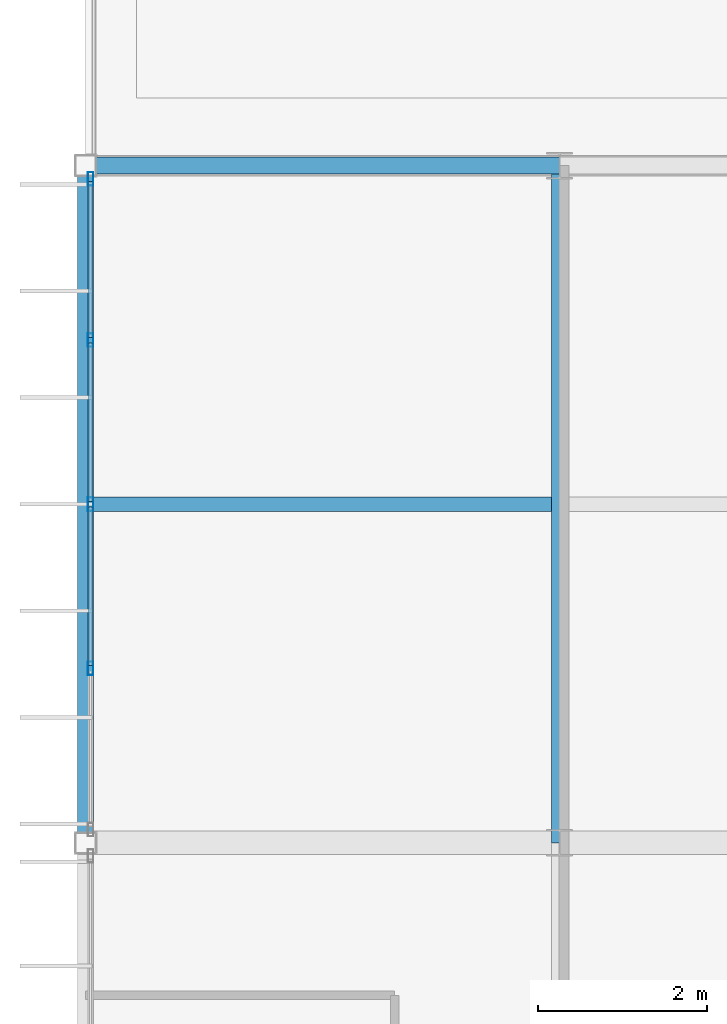
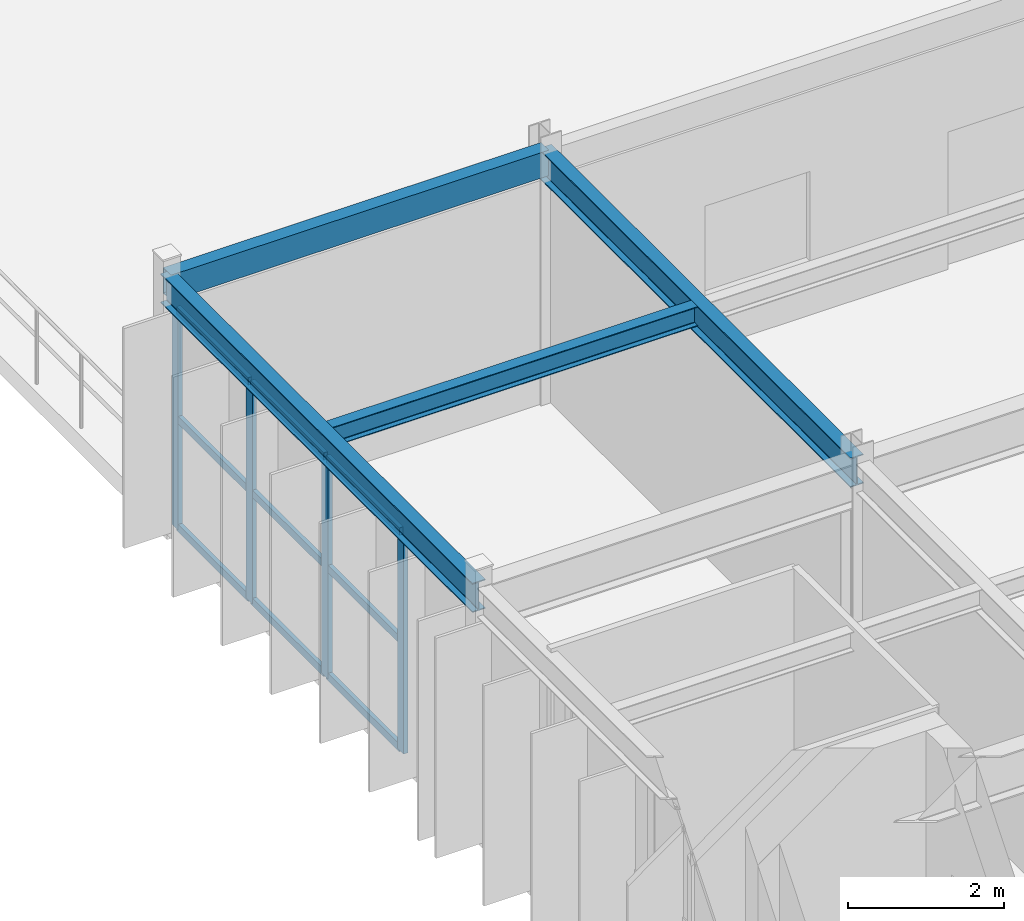
# One storey, part 33 of 130: 13 members, 4 beams, 1 element without a shape of its own.
"""IFC4 building model written with IfcOpenShell, lengths in metres."""

from ifc_helpers import new_model, si_unit, direction, frame, origin, origin_2d, place, context, subcontext, project, spatial, hollow_rectangle, i_section, extrude, material, material_profile, profile_set, type_object, element, aggregate, save


model = new_model("IFC4")

# Units and contexts
model_context = context("Model", 3, precision=1e-05, world=origin(), true_north=direction((0.0, 1.0)))
body_context = subcontext(model_context, "Body", "Model", "MODEL_VIEW")
ifc_project = project(units=[si_unit("LENGTHUNIT", "METRE"), si_unit("AREAUNIT", "SQUARE_METRE"), si_unit("VOLUMEUNIT", "CUBIC_METRE"), si_unit("PLANEANGLEUNIT", "RADIAN"), si_unit("MASSUNIT", "GRAM", prefix="KILO")], contexts=[model_context])

# Site, building, storey
site_placement = place(None, origin())
site = spatial("IfcSite", under=ifc_project, at=site_placement, CompositionType="ELEMENT")
building_placement = place(site_placement, origin())
building = spatial("IfcBuilding", under=site, at=building_placement, Name="Karori Crest Natural Sciences Institute", CompositionType="ELEMENT")
storey_placement = place(building_placement, frame((0.0, 0.0, 17.5)))
storey = spatial("IfcBuildingStorey", under=building, at=storey_placement, Name="L04", CompositionType="ELEMENT", Elevation=17.5)

# Beams
ifc_material_1 = material(Name="Structural steel AS/NZS 3679.1 Grade 350", Category="steel")
ifc_material_profile_1 = material_profile(ifc_material_1, i_section(OverallWidth=0.19091796875, OverallDepth=0.4599609375, WebThickness=0.010009765625, FlangeThickness=0.01611328125, FilletRadius=0.010986328125, at=origin_2d()), Name="460UB82.1")
ifc_profile_set_1 = profile_set([ifc_material_profile_1], Name="Structural steel AS/NZS 3679.1 Grade 350")
beam_type_1 = type_object("IfcBeamType", Name="BT-06", PredefinedType="BEAM", material=ifc_profile_set_1)
beam_1_placement = place(storey_placement, frame((7.39990234375, 47.0, 3.68994140625), z_axis=(0.0, 1.0, 0.0), x_axis=(-1.0, 0.0, 0.0)))
element("IfcBeam", 1, at=beam_1_placement, inside=storey, type_object=beam_type_1, Name="Beam B-1229", PredefinedType="BEAM", context=body_context, shape_type="SweptSolid", body=[
    extrude(i_section(OverallWidth=0.19091796875, OverallDepth=0.4599609375, WebThickness=0.010009765625, FlangeThickness=0.01611328125, FilletRadius=0.010986328125, at=origin_2d()), origin(), (0.0, 0.0, 1.0), 8.0),
])
ifc_material_profile_2 = material_profile(ifc_material_1, i_section(OverallWidth=0.19091796875, OverallDepth=0.4599609375, WebThickness=0.010009765625, FlangeThickness=0.01611328125, FilletRadius=0.010986328125, at=origin_2d()), Name="460UB82.1")
ifc_profile_set_2 = profile_set([ifc_material_profile_2], Name="Structural steel AS/NZS 3679.1 Grade 350")
beam_type_2 = type_object("IfcBeamType", Name="BT-06-EL", PredefinedType="BEAM", material=ifc_profile_set_2)
beam_2_placement = place(storey_placement, frame((1.800048828125, 47.0, 3.68994140625), z_axis=(0.0, 1.0, 0.0), x_axis=(-1.0, 0.0, 0.0)))
element("IfcBeam", 2, at=beam_2_placement, inside=storey, type_object=beam_type_2, Name="Beam B-1225", PredefinedType="BEAM", context=body_context, shape_type="SweptSolid", body=[
    extrude(i_section(OverallWidth=0.19091796875, OverallDepth=0.4599609375, WebThickness=0.010009765625, FlangeThickness=0.01611328125, FilletRadius=0.010986328125, at=origin_2d()), origin(), (0.0, 0.0, 1.0), 8.0),
])
ifc_material_profile_3 = material_profile(ifc_material_1, i_section(OverallWidth=0.166015625, OverallDepth=0.306884765625, WebThickness=0.006591796875, FlangeThickness=0.01171875, FilletRadius=0.010986328125, at=origin_2d()), Name="310UB46.2")
ifc_profile_set_3 = profile_set([ifc_material_profile_3], Name="Structural steel AS/NZS 3679.1 Grade 350")
beam_type_3 = type_object("IfcBeamType", Name="BT-09", PredefinedType="BEAM", material=ifc_profile_set_3)
beam_3_placement = place(storey_placement, frame((1.8955078125, 51.0, 3.7666015625), z_axis=(1.0, 0.0, 0.0), x_axis=(0.0, 1.0, 0.0)))
element("IfcBeam", 3, at=beam_3_placement, inside=storey, type_object=beam_type_3, Name="Beam B-1241", PredefinedType="BEAM", context=body_context, shape_type="SweptSolid", body=[
    extrude(i_section(OverallWidth=0.166015625, OverallDepth=0.306884765625, WebThickness=0.006591796875, FlangeThickness=0.01171875, FilletRadius=0.010986328125, at=origin_2d()), origin(), (0.0, 0.0, 1.0), 5.408935546875),
])
ifc_material_2 = material(Name="Hollow structural steel AS/NZS 1163 Grade C350", Category="steel")
ifc_material_profile_4 = material_profile(ifc_material_2, hollow_rectangle(XDim=0.199951171875, YDim=0.39990234375, WallThickness=0.012451171875, at=origin_2d()), Name="RHS400x200x12.5")
ifc_profile_set_4 = profile_set([ifc_material_profile_4], Name="Hollow structural steel AS/NZS 1163 Grade C350")
beam_type_4 = type_object("IfcBeamType", Name="BT-14", PredefinedType="SPANDREL", material=ifc_profile_set_4)
beam_4_placement = place(storey_placement, frame((1.800048828125, 55.0, 3.719970703125), z_axis=(1.0, 0.0, 0.0), x_axis=(0.0, 1.0, 0.0)))
element("IfcBeam", 4, at=beam_4_placement, inside=storey, type_object=beam_type_4, Name="Beam B-1219", PredefinedType="SPANDREL", context=body_context, shape_type="SweptSolid", body=[
    extrude(hollow_rectangle(XDim=0.199951171875, YDim=0.39990234375, WallThickness=0.012451171875, at=origin_2d()), origin(), (0.0, 0.0, 1.0), 5.599853515625),
])

# Curtain wall, members
ifc_material_3 = material(Name="Anodised architectural aluminium 6063-T6", Category="aluminium")
curtain_wall_type = type_object("IfcCurtainWallType", Name="CWT-17", PredefinedType="NOTDEFINED", material=ifc_material_3)
curtain_wall_placement = place(storey_placement, origin())
curtain_wall = element("IfcCurtainWall", 5, at=curtain_wall_placement, inside=storey, type_object=curtain_wall_type, Name="Curtain wall CW-0287", PredefinedType="NOTDEFINED")
ifc_material_profile_5 = material_profile(ifc_material_3, hollow_rectangle(XDim=0.06494140625, YDim=0.159912109375, WallThickness=0.00390625, at=origin_2d()), Name="CWM160x65x4")
ifc_profile_set_5 = profile_set([ifc_material_profile_5], Name="Anodised architectural aluminium 6063-T6")
member_type_1 = type_object("IfcMemberType", Name="CWM-01", PredefinedType="MULLION", material=ifc_profile_set_5)
member_1_placement = place(storey_placement, frame((1.860107421875, 49.0615234375, 0.0), z_axis=(0.0, 0.0, 1.0), x_axis=(-1.0, 0.0, 0.0)))
member_1 = element("IfcMember", 6, at=member_1_placement, type_object=member_type_1, Name="CW-0287 mullion 2", PredefinedType="MULLION", context=body_context, shape_type="SweptSolid", body=[
    extrude(hollow_rectangle(XDim=0.06494140625, YDim=0.159912109375, WallThickness=0.00390625, at=origin_2d()), origin(), (0.0, 0.0, 1.0), 3.445068359375),
])
member_2_placement = place(storey_placement, frame((1.860107421875, 51.0, 0.0), z_axis=(0.0, 0.0, 1.0), x_axis=(-1.0, 0.0, 0.0)))
member_2 = element("IfcMember", 7, at=member_2_placement, type_object=member_type_1, Name="CW-0287 mullion 3", PredefinedType="MULLION", context=body_context, shape_type="SweptSolid", body=[
    extrude(hollow_rectangle(XDim=0.06494140625, YDim=0.159912109375, WallThickness=0.00390625, at=origin_2d()), origin(), (0.0, 0.0, 1.0), 3.445068359375),
])
member_3_placement = place(storey_placement, frame((1.860107421875, 52.9384765625, 0.0), z_axis=(0.0, 0.0, 1.0), x_axis=(-1.0, 0.0, 0.0)))
member_3 = element("IfcMember", 8, at=member_3_placement, type_object=member_type_1, Name="CW-0287 mullion 4", PredefinedType="MULLION", context=body_context, shape_type="SweptSolid", body=[
    extrude(hollow_rectangle(XDim=0.06494140625, YDim=0.159912109375, WallThickness=0.00390625, at=origin_2d()), origin(), (0.0, 0.0, 1.0), 3.445068359375),
])
member_4_placement = place(storey_placement, frame((1.860107421875, 54.844482421875, 0.0), z_axis=(0.0, 0.0, 1.0), x_axis=(-1.0, 0.0, 0.0)))
member_4 = element("IfcMember", 9, at=member_4_placement, type_object=member_type_1, Name="CW-0287 mullion 5", PredefinedType="MULLION", context=body_context, shape_type="SweptSolid", body=[
    extrude(hollow_rectangle(XDim=0.06494140625, YDim=0.159912109375, WallThickness=0.00390625, at=origin_2d()), origin(), (0.0, 0.0, 1.0), 3.445068359375),
])
ifc_material_profile_6 = material_profile(ifc_material_3, hollow_rectangle(XDim=0.06005859375, YDim=0.1201171875, WallThickness=0.00390625, at=origin_2d()), Name="CWT120x60x4")
ifc_profile_set_6 = profile_set([ifc_material_profile_6], Name="Anodised architectural aluminium 6063-T6")
member_type_2 = type_object("IfcMemberType", Name="CWT-TR1", PredefinedType="USERDEFINED", material=ifc_profile_set_6)
member_5_placement = place(storey_placement, frame((1.860107421875, 49.093994140625, 0.030029296875), z_axis=(0.0, 1.0, 0.0), x_axis=(-1.0, 0.0, 0.0)))
member_5 = element("IfcMember", 10, at=member_5_placement, type_object=member_type_2, Name="CW-0287 transom 2.1", ObjectType="TRANSOM", PredefinedType="USERDEFINED", context=body_context, shape_type="SweptSolid", body=[
    extrude(hollow_rectangle(XDim=0.06005859375, YDim=0.1201171875, WallThickness=0.00390625, at=origin_2d()), origin(), (0.0, 0.0, 1.0), 1.87353515625),
])
member_6_placement = place(storey_placement, frame((1.860107421875, 49.093994140625, 1.722412109375), z_axis=(0.0, 1.0, 0.0), x_axis=(-1.0, 0.0, 0.0)))
member_6 = element("IfcMember", 11, at=member_6_placement, type_object=member_type_2, Name="CW-0287 transom 2.2", ObjectType="TRANSOM", PredefinedType="USERDEFINED", context=body_context, shape_type="SweptSolid", body=[
    extrude(hollow_rectangle(XDim=0.06005859375, YDim=0.1201171875, WallThickness=0.00390625, at=origin_2d()), origin(), (0.0, 0.0, 1.0), 1.87353515625),
])
member_7_placement = place(storey_placement, frame((1.860107421875, 49.093994140625, 3.4150390625), z_axis=(0.0, 1.0, 0.0), x_axis=(-1.0, 0.0, 0.0)))
member_7 = element("IfcMember", 12, at=member_7_placement, type_object=member_type_2, Name="CW-0287 transom 2.3", ObjectType="TRANSOM", PredefinedType="USERDEFINED", context=body_context, shape_type="SweptSolid", body=[
    extrude(hollow_rectangle(XDim=0.06005859375, YDim=0.1201171875, WallThickness=0.00390625, at=origin_2d()), origin(), (0.0, 0.0, 1.0), 1.87353515625),
])
member_8_placement = place(storey_placement, frame((1.860107421875, 51.032470703125, 0.030029296875), z_axis=(0.0, 1.0, 0.0), x_axis=(-1.0, 0.0, 0.0)))
member_8 = element("IfcMember", 13, at=member_8_placement, type_object=member_type_2, Name="CW-0287 transom 3.1", ObjectType="TRANSOM", PredefinedType="USERDEFINED", context=body_context, shape_type="SweptSolid", body=[
    extrude(hollow_rectangle(XDim=0.06005859375, YDim=0.1201171875, WallThickness=0.00390625, at=origin_2d()), origin(), (0.0, 0.0, 1.0), 1.87353515625),
])
member_9_placement = place(storey_placement, frame((1.860107421875, 51.032470703125, 1.722412109375), z_axis=(0.0, 1.0, 0.0), x_axis=(-1.0, 0.0, 0.0)))
member_9 = element("IfcMember", 14, at=member_9_placement, type_object=member_type_2, Name="CW-0287 transom 3.2", ObjectType="TRANSOM", PredefinedType="USERDEFINED", context=body_context, shape_type="SweptSolid", body=[
    extrude(hollow_rectangle(XDim=0.06005859375, YDim=0.1201171875, WallThickness=0.00390625, at=origin_2d()), origin(), (0.0, 0.0, 1.0), 1.87353515625),
])
member_10_placement = place(storey_placement, frame((1.860107421875, 51.032470703125, 3.4150390625), z_axis=(0.0, 1.0, 0.0), x_axis=(-1.0, 0.0, 0.0)))
member_10 = element("IfcMember", 15, at=member_10_placement, type_object=member_type_2, Name="CW-0287 transom 3.3", ObjectType="TRANSOM", PredefinedType="USERDEFINED", context=body_context, shape_type="SweptSolid", body=[
    extrude(hollow_rectangle(XDim=0.06005859375, YDim=0.1201171875, WallThickness=0.00390625, at=origin_2d()), origin(), (0.0, 0.0, 1.0), 1.87353515625),
])
member_11_placement = place(storey_placement, frame((1.860107421875, 52.970947265625, 0.030029296875), z_axis=(0.0, 1.0, 0.0), x_axis=(-1.0, 0.0, 0.0)))
member_11 = element("IfcMember", 16, at=member_11_placement, type_object=member_type_2, Name="CW-0287 transom 4.1", ObjectType="TRANSOM", PredefinedType="USERDEFINED", context=body_context, shape_type="SweptSolid", body=[
    extrude(hollow_rectangle(XDim=0.06005859375, YDim=0.1201171875, WallThickness=0.00390625, at=origin_2d()), origin(), (0.0, 0.0, 1.0), 1.841064453125),
])
member_12_placement = place(storey_placement, frame((1.860107421875, 52.970947265625, 1.722412109375), z_axis=(0.0, 1.0, 0.0), x_axis=(-1.0, 0.0, 0.0)))
member_12 = element("IfcMember", 17, at=member_12_placement, type_object=member_type_2, Name="CW-0287 transom 4.2", ObjectType="TRANSOM", PredefinedType="USERDEFINED", context=body_context, shape_type="SweptSolid", body=[
    extrude(hollow_rectangle(XDim=0.06005859375, YDim=0.1201171875, WallThickness=0.00390625, at=origin_2d()), origin(), (0.0, 0.0, 1.0), 1.841064453125),
])
member_13_placement = place(storey_placement, frame((1.860107421875, 52.970947265625, 3.4150390625), z_axis=(0.0, 1.0, 0.0), x_axis=(-1.0, 0.0, 0.0)))
member_13 = element("IfcMember", 18, at=member_13_placement, type_object=member_type_2, Name="CW-0287 transom 4.3", ObjectType="TRANSOM", PredefinedType="USERDEFINED", context=body_context, shape_type="SweptSolid", body=[
    extrude(hollow_rectangle(XDim=0.06005859375, YDim=0.1201171875, WallThickness=0.00390625, at=origin_2d()), origin(), (0.0, 0.0, 1.0), 1.841064453125),
])
aggregate(curtain_wall, [member_1, member_2, member_3, member_4, member_5, member_6, member_7, member_8, member_9, member_10, member_11, member_12, member_13])

save(model, "model.ifc")
